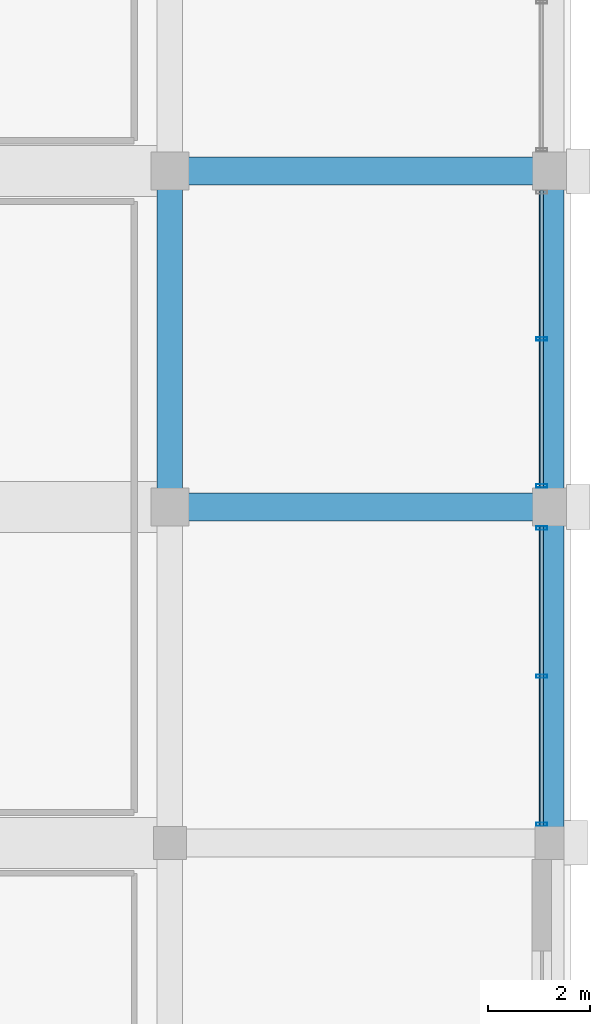
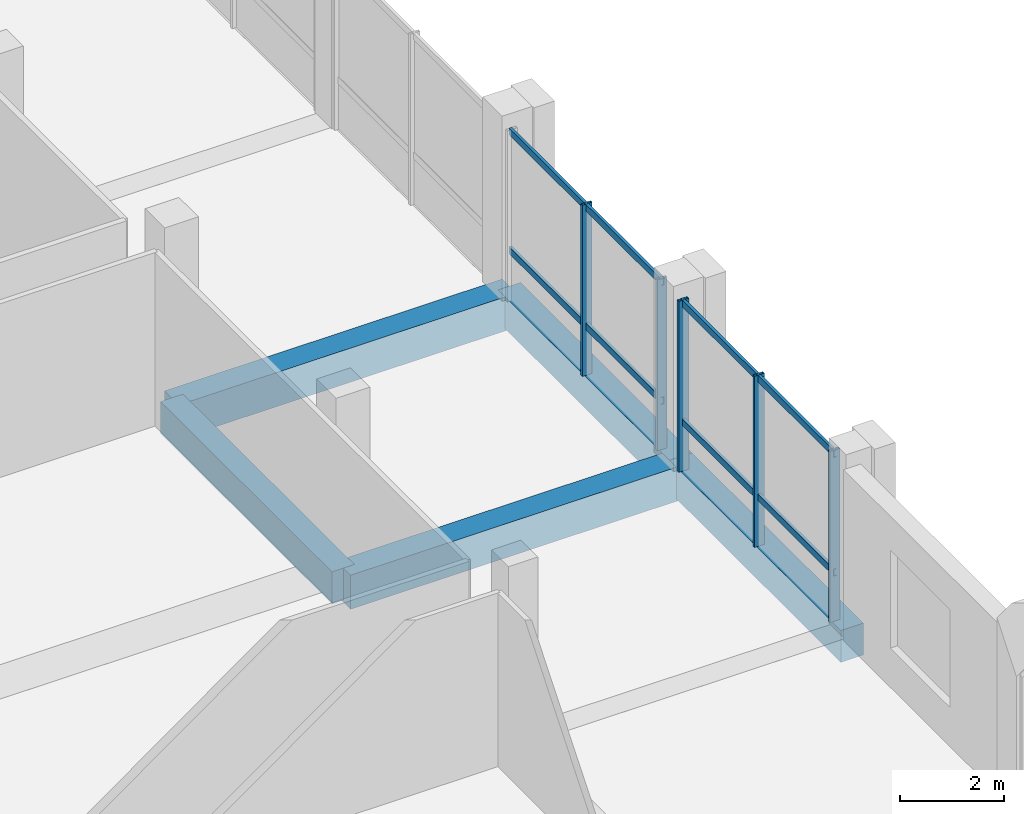
# One storey, part 34 of 64: 9 members, 5 beams, 2 elements without a shape of their own.
"""IFC4 building model written with IfcOpenShell, lengths in metres."""

from ifc_helpers import new_model, si_unit, direction, frame, origin, origin_2d, place, context, subcontext, project, spatial, rectangle, hollow_rectangle, extrude, material, material_profile, profile_set, type_object, element, aggregate, save


model = new_model("IFC4")

# Units and contexts
model_context = context("Model", 3, precision=1e-05, world=origin(), true_north=direction((0.0, 1.0)))
body_context = subcontext(model_context, "Body", "Model", "MODEL_VIEW")
ifc_project = project(units=[si_unit("LENGTHUNIT", "METRE"), si_unit("AREAUNIT", "SQUARE_METRE"), si_unit("VOLUMEUNIT", "CUBIC_METRE"), si_unit("PLANEANGLEUNIT", "RADIAN"), si_unit("MASSUNIT", "GRAM", prefix="KILO")], contexts=[model_context])

# Site, building, storey
site_placement = place(None, origin())
site = spatial("IfcSite", under=ifc_project, at=site_placement, CompositionType="ELEMENT")
building_placement = place(site_placement, origin())
building = spatial("IfcBuilding", under=site, at=building_placement, Name="Akrevak Sports Hall", CompositionType="ELEMENT")
storey_placement = place(building_placement, frame((0.0, 0.0, 4.60009765625)))
storey = spatial("IfcBuildingStorey", under=building, at=storey_placement, Name="L01", CompositionType="ELEMENT", Elevation=4.60009765625)

# Curtain wall, members
ifc_material_1 = material(Name="Anodized Bronze Aluminium & Low-E Glass", Category="aluminium")
curtain_wall_type = type_object("IfcCurtainWallType", Name="ARC-CW-POD-64x44", PredefinedType="NOTDEFINED", material=ifc_material_1)
curtain_wall_1_placement = place(storey_placement, origin())
curtain_wall_1 = element("IfcCurtainWall", 1, at=curtain_wall_1_placement, inside=storey, type_object=curtain_wall_type, Name="Curtain Wall CW-L01-E06", PredefinedType="NOTDEFINED")
ifc_material_2 = material(Name="Anodized Bronze Aluminium", Category="aluminium")
ifc_material_profile_1 = material_profile(ifc_material_2, hollow_rectangle(XDim=0.06494140625, YDim=0.219970703125, WallThickness=0.00439453125, at=origin_2d()), Name="CWM 65x220", Category="aluminium")
ifc_profile_set_1 = profile_set([ifc_material_profile_1], Name="Anodized Bronze Aluminium")
member_type_1 = type_object("IfcMemberType", Name="ARC-CWM-70x160", PredefinedType="MULLION", material=ifc_profile_set_1)
member_1_placement = place(storey_placement, frame((167.81005859375, 35.764892578125, 0.0), z_axis=(0.0, 0.0, 1.0), x_axis=(0.0, 1.0, 0.0)))
member_1 = element("IfcMember", 2, at=member_1_placement, type_object=member_type_1, Name="Curtain Wall Mullion CW-L01-E06-M1", PredefinedType="MULLION", context=body_context, shape_type="SweptSolid", body=[
    extrude(hollow_rectangle(XDim=0.06494140625, YDim=0.219970703125, WallThickness=0.00439453125, at=origin_2d()), origin(), (0.0, 0.0, 1.0), 4.02001953125),
])
member_2_placement = place(storey_placement, frame((167.81005859375, 38.675048828125, 0.0), z_axis=(0.0, 0.0, 1.0), x_axis=(0.0, 1.0, 0.0)))
member_2 = element("IfcMember", 3, at=member_2_placement, type_object=member_type_1, Name="Curtain Wall Mullion CW-L01-E06-M2", PredefinedType="MULLION", context=body_context, shape_type="SweptSolid", body=[
    extrude(hollow_rectangle(XDim=0.06494140625, YDim=0.219970703125, WallThickness=0.00439453125, at=origin_2d()), origin(), (0.0, 0.0, 1.0), 4.02001953125),
])
member_3_placement = place(storey_placement, frame((167.81005859375, 41.5849609375, 0.0), z_axis=(0.0, 0.0, 1.0), x_axis=(0.0, 1.0, 0.0)))
member_3 = element("IfcMember", 4, at=member_3_placement, type_object=member_type_1, Name="Curtain Wall Mullion CW-L01-E06-M3", PredefinedType="MULLION", context=body_context, shape_type="SweptSolid", body=[
    extrude(hollow_rectangle(XDim=0.06494140625, YDim=0.219970703125, WallThickness=0.00439453125, at=origin_2d()), origin(), (0.0, 0.0, 1.0), 4.02001953125),
])

curtain_wall_2_placement = place(storey_placement, origin())
curtain_wall_2 = element("IfcCurtainWall", 5, at=curtain_wall_2_placement, inside=storey, type_object=curtain_wall_type, Name="Curtain Wall CW-L01-E07", PredefinedType="NOTDEFINED")
member_4_placement = place(storey_placement, frame((167.81005859375, 42.4150390625, 0.0), z_axis=(0.0, 0.0, 1.0), x_axis=(0.0, 1.0, 0.0)))
member_4 = element("IfcMember", 6, at=member_4_placement, type_object=member_type_1, Name="Curtain Wall Mullion CW-L01-E07-M1", PredefinedType="MULLION", context=body_context, shape_type="SweptSolid", body=[
    extrude(hollow_rectangle(XDim=0.06494140625, YDim=0.219970703125, WallThickness=0.00439453125, at=origin_2d()), origin(), (0.0, 0.0, 1.0), 4.02001953125),
])
member_5_placement = place(storey_placement, frame((167.81005859375, 45.300048828125, 0.0), z_axis=(0.0, 0.0, 1.0), x_axis=(0.0, 1.0, 0.0)))
member_5 = element("IfcMember", 7, at=member_5_placement, type_object=member_type_1, Name="Curtain Wall Mullion CW-L01-E07-M2", PredefinedType="MULLION", context=body_context, shape_type="SweptSolid", body=[
    extrude(hollow_rectangle(XDim=0.06494140625, YDim=0.219970703125, WallThickness=0.00439453125, at=origin_2d()), origin(), (0.0, 0.0, 1.0), 4.02001953125),
])

# Member
ifc_material_profile_2 = material_profile(ifc_material_2, hollow_rectangle(XDim=0.06494140625, YDim=0.159912109375, WallThickness=0.00390625, at=origin_2d()), Name="CWT 65x160", Category="aluminium")
ifc_profile_set_2 = profile_set([ifc_material_profile_2], Name="Anodized Bronze Aluminium")
member_type_2 = type_object("IfcMemberType", Name="ARC-CWT-70x130", PredefinedType="USERDEFINED", material=ifc_profile_set_2)
member_6_placement = place(storey_placement, frame((167.81005859375, 35.72509765625, 1.14990234375), z_axis=(0.0, 1.0, 0.0), x_axis=(-1.0, 0.0, 0.0)))
member_6 = element("IfcMember", 8, at=member_6_placement, type_object=member_type_2, Name="Curtain Wall Transom CW-L01-E06-T1", ObjectType="TRANSOM", PredefinedType="USERDEFINED", context=body_context, shape_type="SweptSolid", body=[
    extrude(hollow_rectangle(XDim=0.06494140625, YDim=0.159912109375, WallThickness=0.00390625, at=origin_2d()), origin(), (0.0, 0.0, 1.0), 5.89990234375),
])

member_7_placement = place(storey_placement, frame((167.81005859375, 35.72509765625, 3.93994140625), z_axis=(0.0, 1.0, 0.0), x_axis=(-1.0, 0.0, 0.0)))
member_7 = element("IfcMember", 9, at=member_7_placement, type_object=member_type_2, Name="Curtain Wall Transom CW-L01-E06-T2", ObjectType="TRANSOM", PredefinedType="USERDEFINED", context=body_context, shape_type="SweptSolid", body=[
    extrude(hollow_rectangle(XDim=0.06494140625, YDim=0.159912109375, WallThickness=0.00390625, at=origin_2d()), origin(), (0.0, 0.0, 1.0), 5.89990234375),
])

aggregate(curtain_wall_1, [member_1, member_2, member_3, member_6, member_7])

member_8_placement = place(storey_placement, frame((167.81005859375, 42.375, 1.14990234375), z_axis=(0.0, 1.0, 0.0), x_axis=(-1.0, 0.0, 0.0)))
member_8 = element("IfcMember", 10, at=member_8_placement, type_object=member_type_2, Name="Curtain Wall Transom CW-L01-E07-T1", ObjectType="TRANSOM", PredefinedType="USERDEFINED", context=body_context, shape_type="SweptSolid", body=[
    extrude(hollow_rectangle(XDim=0.06494140625, YDim=0.159912109375, WallThickness=0.00390625, at=origin_2d()), origin(), (0.0, 0.0, 1.0), 5.85009765625),
])

member_9_placement = place(storey_placement, frame((167.81005859375, 42.375, 3.93994140625), z_axis=(0.0, 1.0, 0.0), x_axis=(-1.0, 0.0, 0.0)))
member_9 = element("IfcMember", 11, at=member_9_placement, type_object=member_type_2, Name="Curtain Wall Transom CW-L01-E07-T2", ObjectType="TRANSOM", PredefinedType="USERDEFINED", context=body_context, shape_type="SweptSolid", body=[
    extrude(hollow_rectangle(XDim=0.06494140625, YDim=0.159912109375, WallThickness=0.00390625, at=origin_2d()), origin(), (0.0, 0.0, 1.0), 5.85009765625),
])

aggregate(curtain_wall_2, [member_4, member_5, member_8, member_9])

# Beams
ifc_material_3 = material(Name="Concrete C40/50", Category="concrete")
ifc_material_profile_3 = material_profile(ifc_material_3, rectangle(XDim=0.5, YDim=0.75, at=origin_2d()), Name="BM 500x750", Category="concrete")
ifc_profile_set_3 = profile_set([ifc_material_profile_3], Name="Concrete C40/50")
beam_type_1 = type_object("IfcBeamType", Name="STR-BM-RC500x750", PredefinedType="BEAM", material=ifc_profile_set_3)
for number, where, z_axis, x_axis, name in (
    (12, (160.5, 42.0, -0.375), (0.0, 1.0, 0.0), (-1.0, 0.0, 0.0), "Girder 22/G-H (L01)"),
    (13, (168.0, 35.39990234375, -0.375), (0.0, 1.0, 0.0), (-1.0, 0.0, 0.0), "Girder 23/F-G (L01)"),
    (14, (168.0, 42.0, -0.375), (0.0, 1.0, 0.0), (-1.0, 0.0, 0.0), "Girder 23/G-H (L01)"),
):
    element("IfcBeam", number, at=place(storey_placement, frame(where, z_axis=z_axis, x_axis=x_axis)), inside=storey, type_object=beam_type_1, Name=name, PredefinedType="BEAM", context=body_context, shape_type="SweptSolid", body=[
        extrude(rectangle(XDim=0.5, YDim=0.75, at=origin_2d()), origin(), (0.0, 0.0, 1.0), 6.60009765625),
    ])
ifc_material_profile_4 = material_profile(ifc_material_3, rectangle(XDim=0.550048828125, YDim=0.800048828125, at=origin_2d()), Name="BM 550x800", Category="concrete")
ifc_profile_set_4 = profile_set([ifc_material_profile_4], Name="Concrete C40/50")
beam_type_2 = type_object("IfcBeamType", Name="STR-BM-RC550x800", PredefinedType="BEAM", material=ifc_profile_set_4)
for number, where, z_axis, x_axis, name in (
    (15, (160.5, 42.0, -0.400146484375), (1.0, 0.0, 0.0), (0.0, 1.0, 0.0), "Girder G/22-23 (L01)"),
    (16, (160.5, 48.60009765625, -0.400146484375), (1.0, 0.0, 0.0), (0.0, 1.0, 0.0), "Girder H/22-23 (L01)"),
):
    element("IfcBeam", number, at=place(storey_placement, frame(where, z_axis=z_axis, x_axis=x_axis)), inside=storey, type_object=beam_type_2, Name=name, PredefinedType="BEAM", context=body_context, shape_type="SweptSolid", body=[
        extrude(rectangle(XDim=0.550048828125, YDim=0.800048828125, at=origin_2d()), origin(), (0.0, 0.0, 1.0), 7.5),
    ])

save(model, "model.ifc")
